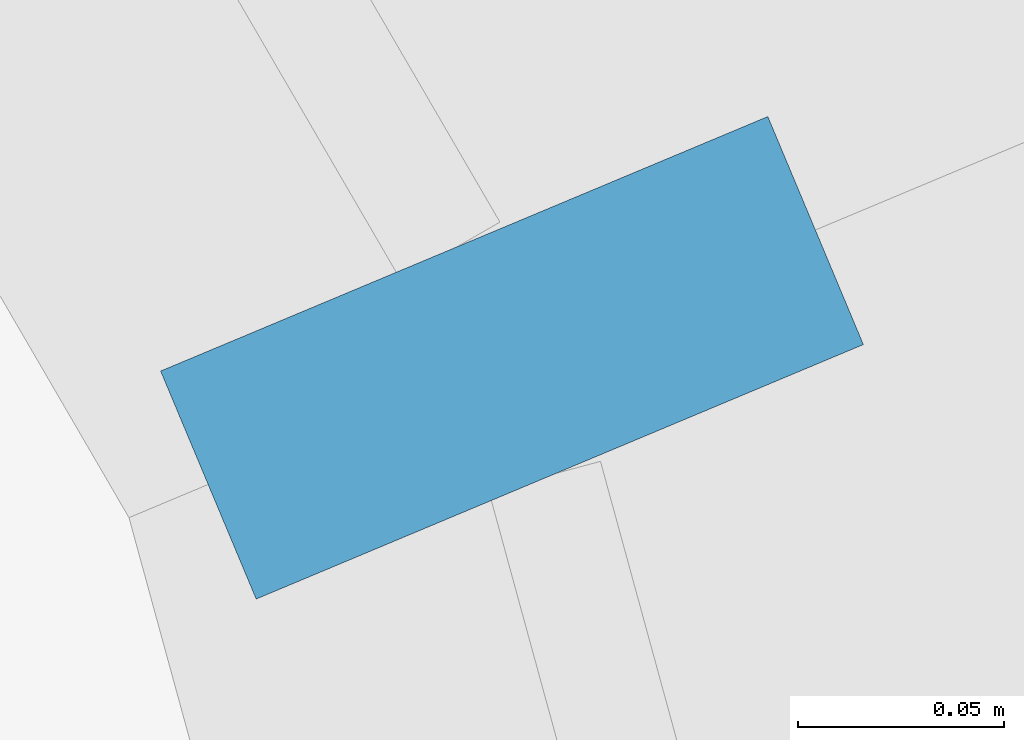
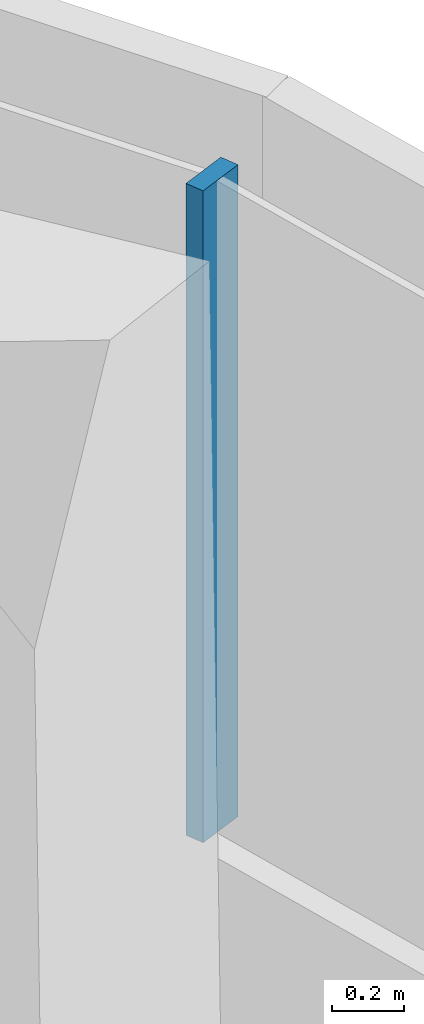
# One storey, part 10 of 35: 1 member, 1 element without a shape of its own.
"""IFC4 building model written with IfcOpenShell, lengths in metres."""

from ifc_helpers import new_model, si_unit, direction, frame, origin, origin_2d, place, context, subcontext, project, spatial, rectangle, extrude, material, layer, layer_set, material_profile, profile_set, type_object, element, aggregate, save


model = new_model("IFC4")

# Units and contexts
model_context = context("Model", 3, precision=1e-05, world=origin(), true_north=direction((0.0, 1.0)))
body_context = subcontext(model_context, "Body", "Model", "MODEL_VIEW")
ifc_project = project(units=[si_unit("LENGTHUNIT", "METRE"), si_unit("AREAUNIT", "SQUARE_METRE"), si_unit("VOLUMEUNIT", "CUBIC_METRE"), si_unit("PLANEANGLEUNIT", "RADIAN"), si_unit("MASSUNIT", "GRAM", prefix="KILO")], contexts=[model_context])

# Site, building, storey
site_placement = place(None, origin())
site = spatial("IfcSite", under=ifc_project, at=site_placement, CompositionType="ELEMENT")
building_placement = place(site_placement, origin())
building = spatial("IfcBuilding", under=site, at=building_placement, Name="Tamarind Cross Interchange Tower", CompositionType="ELEMENT")
storey_placement = place(building_placement, frame((0.0, 0.0, 144.25)))
storey = spatial("IfcBuildingStorey", under=building, at=storey_placement, Name="L35", CompositionType="ELEMENT", Elevation=144.25)

# Curtain wall, member
ifc_material = material(Name="Aluminium 6063-T6", Category="aluminium")
ifc_layer = layer(ifc_material, 0.159912109375)
ifc_layer_set = layer_set([ifc_layer], Name="Aluminium 6063-T6")
curtain_wall_type = type_object("IfcCurtainWallType", Name="Office curtain wall, 9.0 m bays", PredefinedType="NOTDEFINED", material=ifc_layer_set)
curtain_wall_placement = place(storey_placement, origin())
curtain_wall = element("IfcCurtainWall", 1, at=curtain_wall_placement, inside=storey, type_object=curtain_wall_type, Name="CWS-L35-05", PredefinedType="NOTDEFINED")
ifc_material_profile = material_profile(ifc_material, rectangle(XDim=0.06005859375, YDim=0.159912109375, at=origin_2d()), Name="Mullion CW1")
ifc_profile_set = profile_set([ifc_material_profile], Name="Aluminium 6063-T6")
member_type = type_object("IfcMemberType", Name="Mullion CW1", PredefinedType="MULLION", material=ifc_profile_set)
member_placement = place(storey_placement, frame((18.780517578125, -40.661865234375, 1.39990234375), z_axis=(0.0, 0.0, 1.0), x_axis=(-0.386538338525, 0.922273339553, 0.0)))
member = element("IfcMember", 2, at=member_placement, type_object=member_type, Name="CWM-L35-05-00", PredefinedType="MULLION", context=body_context, shape_type="SweptSolid", body=[
    extrude(rectangle(XDim=0.06005859375, YDim=0.159912109375, at=origin_2d()), origin(), (0.0, 0.0, 1.0), 2.210205078125),
])
aggregate(curtain_wall, [member])

save(model, "model.ifc")
